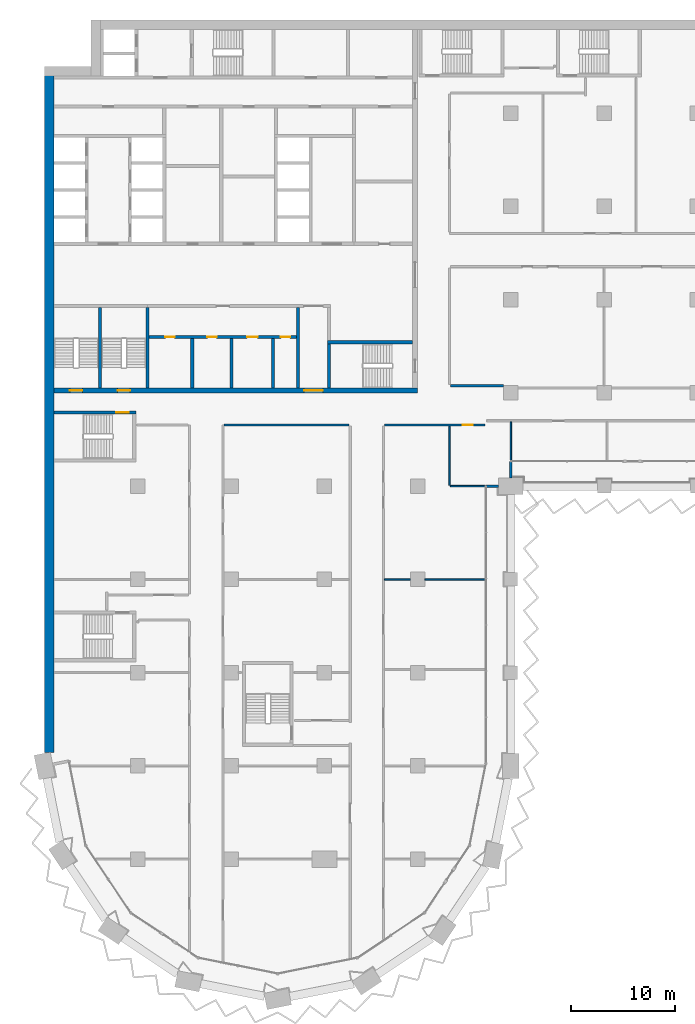
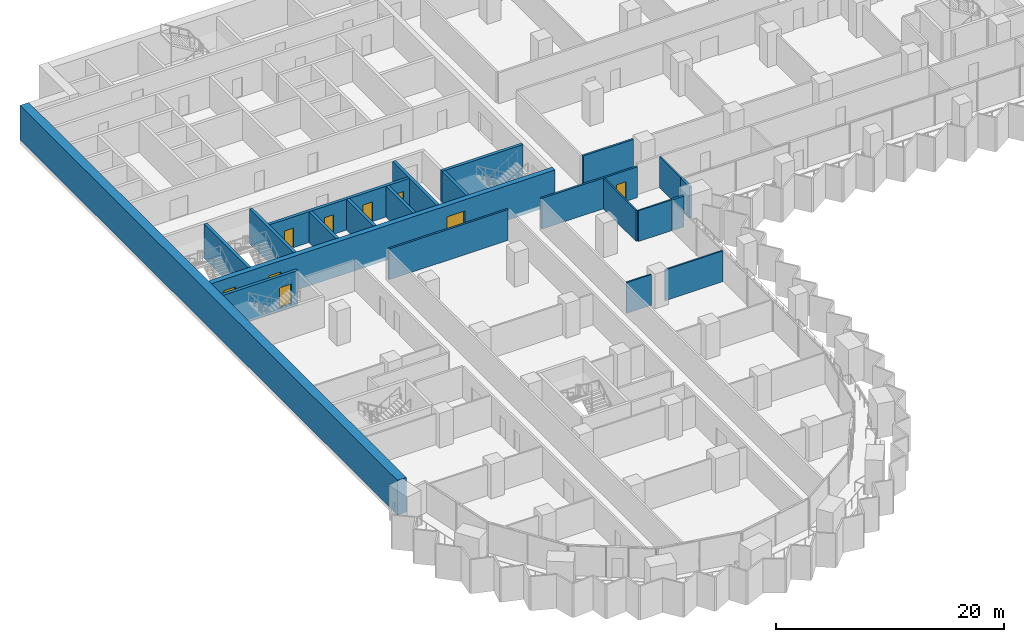
# One storey, part 13 of 29: 22 walls, 9 doors, 9 openings.
"""IFC4 building model written with IfcOpenShell, lengths in metres."""

from ifc_helpers import new_model, si_unit, direction, frame, frame_2d, origin, place, context, subcontext, project, spatial, rectangle, extrude, material, layer, layer_set, type_object, element, fill, save


model = new_model("IFC4")

# Units and contexts
model_context = context("Model", 3, precision=1e-05, world=origin(), true_north=direction((0.0, 1.0)))
body_context = subcontext(model_context, "Body", "Model", "MODEL_VIEW")
ifc_project = project(units=[si_unit("LENGTHUNIT", "METRE"), si_unit("AREAUNIT", "SQUARE_METRE"), si_unit("VOLUMEUNIT", "CUBIC_METRE"), si_unit("PLANEANGLEUNIT", "RADIAN"), si_unit("MASSUNIT", "GRAM", prefix="KILO")], contexts=[model_context])

# Site, building, storey
site_placement = place(None, origin())
site = spatial("IfcSite", under=ifc_project, at=site_placement, CompositionType="ELEMENT")
building_placement = place(site_placement, origin())
building = spatial("IfcBuilding", under=site, at=building_placement, Name="Hunhe Ridgeline Campus", CompositionType="ELEMENT")
storey_placement = place(building_placement, frame((0.0, 0.0, 65.39990234375)))
storey = spatial("IfcBuildingStorey", under=building, at=storey_placement, Name="L15", CompositionType="ELEMENT", Elevation=65.39990234375)

# Wall, openings, doors
ifc_material_1 = material(Name="Masonry concrete blockwork", Category="masonry")
ifc_layer_1 = layer(ifc_material_1, 0.300048828125)
ifc_layer_set_1 = layer_set([ifc_layer_1], Name="Core room partition 300 concrete block")
wall_type_1 = type_object("IfcWallType", Name="Core room partition 300 concrete block", PredefinedType="PARTITIONING", material=ifc_layer_set_1)
wall_1_placement = place(storey_placement, frame((10.10009765625, 68.39990234375, 0.0), z_axis=(0.0, 0.0, 1.0), x_axis=(1.0, 0.0, 0.0)))
wall_1 = element("IfcWall", 1, at=wall_1_placement, inside=storey, type_object=wall_type_1, Name="L15 core partition 10", PredefinedType="PARTITIONING", context=body_context, shape_type="SweptSolid", body=[
    extrude(rectangle(XDim=14.199951171875, YDim=0.300048828125, at=frame_2d((7.10009765625, 0.0))), origin(), (0.0, 0.0, 1.0), 3.300048828125),
])
opening_1_placement = place(wall_1_placement, frame((1.550048828125, 0.0, 0.0)))
opening_1 = element("IfcOpeningElement", 2, at=opening_1_placement, cuts=wall_1, Name="Opening CD8", PredefinedType="OPENING", context=body_context, shape_type="SweptSolid", body=[
    extrude(rectangle(XDim=0.89990234375, YDim=2.10009765625, at=frame_2d((0.449951171875, 1.050048828125))), frame((0.0, 0.14990234375, 0.0), z_axis=(0.0, -1.0, 0.0), x_axis=(1.0, 0.0, 0.0)), (0.0, 0.0, 1.0), 0.300048828125),
])
opening_2_placement = place(wall_1_placement, frame((5.60009765625, 0.0, 0.0)))
opening_2 = element("IfcOpeningElement", 3, at=opening_2_placement, cuts=wall_1, Name="Opening CD9", PredefinedType="OPENING", context=body_context, shape_type="SweptSolid", body=[
    extrude(rectangle(XDim=0.89990234375, YDim=2.10009765625, at=frame_2d((0.449951171875, 1.050048828125))), frame((0.0, 0.14990234375, 0.0), z_axis=(0.0, -1.0, 0.0), x_axis=(1.0, 0.0, 0.0)), (0.0, 0.0, 1.0), 0.300048828125),
])
opening_3_placement = place(wall_1_placement, frame((9.449951171875, 0.0, 0.0)))
opening_3 = element("IfcOpeningElement", 4, at=opening_3_placement, cuts=wall_1, Name="Opening CD10", PredefinedType="OPENING", context=body_context, shape_type="SweptSolid", body=[
    extrude(rectangle(XDim=1.0, YDim=2.10009765625, at=frame_2d((0.5, 1.050048828125))), frame((0.0, 0.14990234375, 0.0), z_axis=(0.0, -1.0, 0.0), x_axis=(1.0, 0.0, 0.0)), (0.0, 0.0, 1.0), 0.300048828125),
])
opening_4_placement = place(wall_1_placement, frame((12.699951171875, 0.0, 0.0)))
opening_4 = element("IfcOpeningElement", 5, at=opening_4_placement, cuts=wall_1, Name="Opening CD11", PredefinedType="OPENING", context=body_context, shape_type="SweptSolid", body=[
    extrude(rectangle(XDim=0.89990234375, YDim=2.10009765625, at=frame_2d((0.449951171875, 1.050048828125))), frame((0.0, 0.14990234375, 0.0), z_axis=(0.0, -1.0, 0.0), x_axis=(1.0, 0.0, 0.0)), (0.0, 0.0, 1.0), 0.300048828125),
])
ifc_material_2 = material(Name="Solid core timber door leaf", Category="wood")
door_type_1 = type_object("IfcDoorType", Name="Timber door 1000x2100", OperationType="SINGLE_SWING_LEFT", PredefinedType="DOOR", material=ifc_material_2)
door_1_placement = place(opening_3_placement, frame((1.0, 0.0, 0.0), z_axis=(0.0, 0.0, 1.0), x_axis=(-1.0, 0.0, 0.0)))
door_1 = element("IfcDoor", 6, at=door_1_placement, inside=storey, type_object=door_type_1, Name="L15 door WC3", OperationType="SINGLE_SWING_RIGHT", OverallHeight=2.10009765625, OverallWidth=1.0, PredefinedType="DOOR", context=body_context, shape_type="SweptSolid", body=[
    extrude(rectangle(XDim=1.0, YDim=2.10009765625, at=frame_2d((0.5, 1.050048828125))), frame((0.0, 0.02490234375, 0.0), z_axis=(0.0, -1.0, 0.0), x_axis=(1.0, 0.0, 0.0)), (0.0, 0.0, 1.0), 0.050048828125),
])
fill(opening_3, door_1)
door_type_2 = type_object("IfcDoorType", Name="Timber door 900x2100", OperationType="SINGLE_SWING_LEFT", PredefinedType="DOOR", material=ifc_material_2)
door_2_placement = place(opening_1_placement, frame((0.89990234375, 0.0, 0.0), z_axis=(0.0, 0.0, 1.0), x_axis=(-1.0, 0.0, 0.0)))
door_2 = element("IfcDoor", 7, at=door_2_placement, inside=storey, type_object=door_type_2, Name="L15 door WC1", OperationType="SINGLE_SWING_RIGHT", OverallHeight=2.10009765625, OverallWidth=0.89990234375, PredefinedType="DOOR", context=body_context, shape_type="SweptSolid", body=[
    extrude(rectangle(XDim=0.89990234375, YDim=2.10009765625, at=frame_2d((0.449951171875, 1.050048828125))), frame((0.0, 0.02490234375, 0.0), z_axis=(0.0, -1.0, 0.0), x_axis=(1.0, 0.0, 0.0)), (0.0, 0.0, 1.0), 0.050048828125),
])
fill(opening_1, door_2)
door_3_placement = place(opening_2_placement, frame((0.89990234375, 0.0, 0.0), z_axis=(0.0, 0.0, 1.0), x_axis=(-1.0, 0.0, 0.0)))
door_3 = element("IfcDoor", 8, at=door_3_placement, inside=storey, type_object=door_type_2, Name="L15 door WC2", OperationType="SINGLE_SWING_LEFT", OverallHeight=2.10009765625, OverallWidth=0.89990234375, PredefinedType="DOOR", context=body_context, shape_type="SweptSolid", body=[
    extrude(rectangle(XDim=0.89990234375, YDim=2.10009765625, at=frame_2d((0.449951171875, 1.050048828125))), frame((0.0, 0.02490234375, 0.0), z_axis=(0.0, -1.0, 0.0), x_axis=(1.0, 0.0, 0.0)), (0.0, 0.0, 1.0), 0.050048828125),
])
fill(opening_2, door_3)
door_4_placement = place(opening_4_placement, frame((0.89990234375, 0.0, 0.0), z_axis=(0.0, 0.0, 1.0), x_axis=(-1.0, 0.0, 0.0)))
door_4 = element("IfcDoor", 9, at=door_4_placement, inside=storey, type_object=door_type_2, Name="L15 door WC4", OperationType="SINGLE_SWING_LEFT", OverallHeight=2.10009765625, OverallWidth=0.89990234375, PredefinedType="DOOR", context=body_context, shape_type="SweptSolid", body=[
    extrude(rectangle(XDim=0.89990234375, YDim=2.10009765625, at=frame_2d((0.449951171875, 1.050048828125))), frame((0.0, 0.02490234375, 0.0), z_axis=(0.0, -1.0, 0.0), x_axis=(1.0, 0.0, 0.0)), (0.0, 0.0, 1.0), 0.050048828125),
])
fill(opening_4, door_4)

# Walls
for number, where, z_axis, x_axis, name in (
    (10, (14.25, 63.5, 0.0), (0.0, 0.0, 1.0), (0.0, 1.0, 0.0), "L15 core partition 48"),
    (11, (18.050048828125, 63.5, 0.0), (0.0, 0.0, 1.0), (0.0, 1.0, 0.0), "L15 core partition 50"),
    (12, (22.050048828125, 63.5, 0.0), (0.0, 0.0, 1.0), (0.0, 1.0, 0.0), "L15 core partition 52"),
):
    element("IfcWall", number, at=place(storey_placement, frame(where, z_axis=z_axis, x_axis=x_axis)), inside=storey, type_object=wall_type_1, Name=name, PredefinedType="PARTITIONING", context=body_context, shape_type="SweptSolid", body=[
        extrude(rectangle(XDim=4.75, YDim=0.300048828125, at=frame_2d((2.375, 0.0))), origin(), (0.0, 0.0, 1.0), 3.300048828125),
    ])
wall_2_placement = place(storey_placement, frame((24.449951171875, 63.5, 0.0), z_axis=(0.0, 0.0, 1.0), x_axis=(0.0, 1.0, 0.0)))
element("IfcWall", 13, at=wall_2_placement, inside=storey, type_object=wall_type_1, Name="L15 core partition 57", PredefinedType="PARTITIONING", context=body_context, shape_type="SweptSolid", body=[
    extrude(rectangle(XDim=7.75, YDim=0.300048828125, at=frame_2d((3.875, 0.0))), origin(), (0.0, 0.0, 1.0), 3.300048828125),
])

# Wall, openings, doors
ifc_material_3 = material(Name="Concrete C80", Category="concrete")
ifc_layer_2 = layer(ifc_material_3, 0.5)
ifc_layer_set_2 = layer_set([ifc_layer_2], Name="Core wall 500 reinforced concrete C80")
wall_type_2 = type_object("IfcWallType", Name="Core wall 500 reinforced concrete C80", PredefinedType="SOLIDWALL", material=ifc_layer_set_2)
wall_3_placement = place(storey_placement, frame((0.89990234375, 63.25, -0.39990234375), z_axis=(0.0, 0.0, 1.0), x_axis=(1.0, 0.0, 0.0)))
wall_3 = element("IfcWall", 14, at=wall_3_placement, inside=storey, type_object=wall_type_2, Name="L15 core wall 7", PredefinedType="SOLIDWALL", context=body_context, shape_type="SweptSolid", body=[
    extrude(rectangle(XDim=35.10009765625, YDim=0.5, at=frame_2d((17.550048828125, 0.0))), origin(), (0.0, 0.0, 1.0), 3.699951171875),
])
opening_5_placement = place(wall_3_placement, frame((24.14990234375, 0.0, 0.39990234375)))
opening_5 = element("IfcOpeningElement", 15, at=opening_5_placement, cuts=wall_3, Name="Opening CD6", PredefinedType="OPENING", context=body_context, shape_type="SweptSolid", body=[
    extrude(rectangle(XDim=1.800048828125, YDim=2.10009765625, at=frame_2d((0.89990234375, 1.050048828125))), frame((0.0, 0.25, 0.0), z_axis=(0.0, -1.0, 0.0), x_axis=(1.0, 0.0, 0.0)), (0.0, 0.0, 1.0), 0.5),
])
opening_6_placement = place(wall_3_placement, frame((1.550048828125, 0.0, 0.39990234375)))
opening_6 = element("IfcOpeningElement", 16, at=opening_6_placement, cuts=wall_3, Name="Opening CD13", PredefinedType="OPENING", context=body_context, shape_type="SweptSolid", body=[
    extrude(rectangle(XDim=1.199951171875, YDim=2.10009765625, at=frame_2d((0.60009765625, 1.050048828125))), frame((0.0, 0.25, 0.0), z_axis=(0.0, -1.0, 0.0), x_axis=(1.0, 0.0, 0.0)), (0.0, 0.0, 1.0), 0.5),
])
opening_7_placement = place(wall_3_placement, frame((6.14990234375, 0.0, 0.39990234375)))
opening_7 = element("IfcOpeningElement", 17, at=opening_7_placement, cuts=wall_3, Name="Opening CD14", PredefinedType="OPENING", context=body_context, shape_type="SweptSolid", body=[
    extrude(rectangle(XDim=1.199951171875, YDim=2.10009765625, at=frame_2d((0.60009765625, 1.050048828125))), frame((0.0, 0.25, 0.0), z_axis=(0.0, -1.0, 0.0), x_axis=(1.0, 0.0, 0.0)), (0.0, 0.0, 1.0), 0.5),
])
ifc_material_4 = material(Name="Anodised aluminium and glass", Category="aluminium")
door_type_3 = type_object("IfcDoorType", Name="Glazed double door 1800x2100", OperationType="DOUBLE_DOOR_SINGLE_SWING", PredefinedType="DOOR", material=ifc_material_4)
door_5_placement = place(opening_5_placement, frame((1.800048828125, 0.0, 0.0), z_axis=(0.0, 0.0, 1.0), x_axis=(-1.0, 0.0, 0.0)))
door_5 = element("IfcDoor", 18, at=door_5_placement, inside=storey, type_object=door_type_3, Name="L15 door VEST-FLOOR", OperationType="DOUBLE_DOOR_SINGLE_SWING", OverallHeight=2.10009765625, OverallWidth=1.800048828125, PredefinedType="DOOR", context=body_context, shape_type="SweptSolid", body=[
    extrude(rectangle(XDim=1.800048828125, YDim=2.10009765625, at=frame_2d((0.89990234375, 1.050048828125))), frame((0.0, 0.02490234375, 0.0), z_axis=(0.0, -1.0, 0.0), x_axis=(1.0, 0.0, 0.0)), (0.0, 0.0, 1.0), 0.050048828125),
])
fill(opening_5, door_5)
ifc_material_5 = material(Name="Hollow metal fire door leaf")
door_type_4 = type_object("IfcDoorType", Name="Stair door 1200x2100 FD60", OperationType="SINGLE_SWING_LEFT", PredefinedType="DOOR", material=ifc_material_5)
door_6_placement = place(opening_6_placement, frame((1.199951171875, 0.0, 0.0), z_axis=(0.0, 0.0, 1.0), x_axis=(-1.0, 0.0, 0.0)))
door_6 = element("IfcDoor", 19, at=door_6_placement, inside=storey, type_object=door_type_4, Name="L15 door S3", OperationType="SINGLE_SWING_RIGHT", OverallHeight=2.10009765625, OverallWidth=1.199951171875, PredefinedType="DOOR", context=body_context, shape_type="SweptSolid", body=[
    extrude(rectangle(XDim=1.199951171875, YDim=2.10009765625, at=frame_2d((0.60009765625, 1.050048828125))), frame((0.0, 0.02490234375, 0.0), z_axis=(0.0, -1.0, 0.0), x_axis=(1.0, 0.0, 0.0)), (0.0, 0.0, 1.0), 0.050048828125),
])
fill(opening_6, door_6)
door_7_placement = place(opening_7_placement, frame((1.199951171875, 0.0, 0.0), z_axis=(0.0, 0.0, 1.0), x_axis=(-1.0, 0.0, 0.0)))
door_7 = element("IfcDoor", 20, at=door_7_placement, inside=storey, type_object=door_type_4, Name="L15 door S4", OperationType="SINGLE_SWING_LEFT", OverallHeight=2.10009765625, OverallWidth=1.199951171875, PredefinedType="DOOR", context=body_context, shape_type="SweptSolid", body=[
    extrude(rectangle(XDim=1.199951171875, YDim=2.10009765625, at=frame_2d((0.60009765625, 1.050048828125))), frame((0.0, 0.02490234375, 0.0), z_axis=(0.0, -1.0, 0.0), x_axis=(1.0, 0.0, 0.0)), (0.0, 0.0, 1.0), 0.050048828125),
])
fill(opening_7, door_7)

# Walls
ifc_material_6 = material(Name="Concrete C30", Category="concrete")
ifc_layer_3 = layer(ifc_material_6, 0.25)
ifc_layer_set_3 = layer_set([ifc_layer_3], Name="Corner return wall 250 Concrete C30")
wall_type_3 = type_object("IfcWallType", Name="Corner return wall 250 Concrete C30", PredefinedType="SOLIDWALL", material=ifc_layer_set_3)
wall_4_placement = place(storey_placement, frame((42.59912109375, 54.0, 0.0), z_axis=(0.0, 0.0, 1.0), x_axis=(0.999999917344, 0.000406586671, 0.0)))
element("IfcWall", 21, at=wall_4_placement, inside=storey, type_object=wall_type_3, Name="Corner return wall 2", PredefinedType="SOLIDWALL", context=body_context, shape_type="SweptSolid", body=[
    extrude(rectangle(XDim=1.200927734375, YDim=0.25, at=frame_2d((0.6005859375, 0.0))), origin(), (0.0, 0.0, 1.0), 3.300048828125),
])
wall_5_placement = place(storey_placement, frame((44.999267578125, 54.800048828125, 0.0), z_axis=(0.0, 0.0, 1.0), x_axis=(0.000152508767, 0.999999988371, 0.0)))
element("IfcWall", 22, at=wall_5_placement, inside=storey, type_object=wall_type_3, Name="Corner return wall 3", PredefinedType="SOLIDWALL", context=body_context, shape_type="SweptSolid", body=[
    extrude(rectangle(XDim=1.600830078125, YDim=0.25, at=frame_2d((0.80029296875, 0.0))), origin(), (0.0, 0.0, 1.0), 3.300048828125),
])
ifc_material_7 = material(Name="Gypsum board partition")
ifc_layer_4 = layer(ifc_material_7, 0.199951171875)
ifc_layer_set_4 = layer_set([ifc_layer_4], Name="Corridor partition 200 gypsum board on steel studs")
wall_type_4 = type_object("IfcWallType", Name="Corridor partition 200 gypsum board on steel studs", PredefinedType="PARTITIONING", material=ifc_layer_set_4)
wall_6_placement = place(storey_placement, frame((29.39990234375, 59.89990234375, 0.0), z_axis=(0.0, 0.0, 1.0), x_axis=(-1.0, 0.0, 0.0)))
element("IfcWall", 23, at=wall_6_placement, inside=storey, type_object=wall_type_4, Name="F-L15-wall-032", PredefinedType="PARTITIONING", context=body_context, shape_type="SweptSolid", body=[
    extrude(rectangle(XDim=12.072021484375, YDim=0.199951171875, at=frame_2d((6.0361328125, 0.0))), origin(), (0.0, 0.0, 1.0), 3.300048828125),
])

# Wall, opening, door
wall_7_placement = place(storey_placement, frame((42.5, 59.89990234375, 0.0), z_axis=(0.0, 0.0, 1.0), x_axis=(-1.0, 0.0, 0.0)))
wall_7 = element("IfcWall", 24, at=wall_7_placement, inside=storey, type_object=wall_type_4, Name="F-L15-wall-033", PredefinedType="PARTITIONING", context=body_context, shape_type="SweptSolid", body=[
    extrude(rectangle(XDim=9.699951171875, YDim=0.199951171875, at=frame_2d((4.85009765625, 0.0))), origin(), (0.0, 0.0, 1.0), 3.300048828125),
])
opening_8_placement = place(wall_7_placement, frame((1.1591796875, 0.0, 0.0)))
opening_8 = element("IfcOpeningElement", 25, at=opening_8_placement, cuts=wall_7, Name="Opening RD1-022", PredefinedType="OPENING", context=body_context, shape_type="SweptSolid", body=[
    extrude(rectangle(XDim=1.0, YDim=2.10009765625, at=frame_2d((0.5, 1.050048828125))), frame((0.0, 0.10009765625, 0.0), z_axis=(0.0, -1.0, 0.0), x_axis=(1.0, 0.0, 0.0)), (0.0, 0.0, 1.0), 0.199951171875),
])
ifc_material_8 = material(Name="Timber door leaf", Category="wood")
door_type_5 = type_object("IfcDoorType", Name="Single fire door 1000x2100 timber FD60", OperationType="NOTDEFINED", PredefinedType="DOOR", material=ifc_material_8)
door_8_placement = place(opening_8_placement, origin())
door_8 = element("IfcDoor", 26, at=door_8_placement, inside=storey, type_object=door_type_5, Name="F-L15-door-022", OperationType="SINGLE_SWING_LEFT", OverallHeight=2.10009765625, OverallWidth=1.0, PredefinedType="DOOR", context=body_context, shape_type="SweptSolid", body=[
    extrude(rectangle(XDim=1.0, YDim=2.10009765625, at=frame_2d((0.5, 1.050048828125))), frame((0.0, 0.02490234375, 0.0), z_axis=(0.0, -1.0, 0.0), x_axis=(1.0, 0.0, 0.0)), (0.0, 0.0, 1.0), 0.050048828125),
])
fill(opening_8, door_8)

# Walls
wall_8_placement = place(storey_placement, frame((39.199951171875, 63.699951171875, 0.0), z_axis=(0.0, 0.0, 1.0), x_axis=(1.0, 0.0, 0.0)))
element("IfcWall", 27, at=wall_8_placement, inside=storey, type_object=wall_type_4, Name="F-L15-wall-035", PredefinedType="PARTITIONING", context=body_context, shape_type="SweptSolid", body=[
    extrude(rectangle(XDim=5.10009765625, YDim=0.199951171875, at=frame_2d((2.550048828125, 0.0))), origin(), (0.0, 0.0, 1.0), 3.300048828125),
])
ifc_layer_5 = layer(ifc_material_7, 0.14990234375)
ifc_layer_set_5 = layer_set([ifc_layer_5], Name="Room partition 150 gypsum board on steel studs")
wall_type_5 = type_object("IfcWallType", Name="Room partition 150 gypsum board on steel studs", PredefinedType="PARTITIONING", material=ifc_layer_set_5)
wall_9_placement = place(storey_placement, frame((32.800048828125, 45.0, 0.0), z_axis=(0.0, 0.0, 1.0), x_axis=(1.0, 0.0, 0.0)))
element("IfcWall", 28, at=wall_9_placement, inside=storey, type_object=wall_type_5, Name="F-L15-wall-028", PredefinedType="PARTITIONING", context=body_context, shape_type="SweptSolid", body=[
    extrude(rectangle(XDim=2.5, YDim=0.14990234375, at=frame_2d((1.25, 0.0))), origin(), (0.0, 0.0, 1.0), 3.300048828125),
])
wall_10_placement = place(storey_placement, frame((36.699951171875, 45.0, 0.0), z_axis=(0.0, 0.0, 1.0), x_axis=(1.0, 0.0, 0.0)))
element("IfcWall", 29, at=wall_10_placement, inside=storey, type_object=wall_type_5, Name="F-L15-wall-029", PredefinedType="PARTITIONING", context=body_context, shape_type="SweptSolid", body=[
    extrude(rectangle(XDim=5.844970703125, YDim=0.14990234375, at=frame_2d((2.92236328125, 0.0))), origin(), (0.0, 0.0, 1.0), 3.300048828125),
])
wall_11_placement = place(storey_placement, frame((39.175048828125, 54.0, 0.0), z_axis=(0.0, 0.0, 1.0), x_axis=(1.0, 0.0, 0.0)))
element("IfcWall", 30, at=wall_11_placement, inside=storey, type_object=wall_type_5, Name="F-L15-wall-030", PredefinedType="PARTITIONING", context=body_context, shape_type="SweptSolid", body=[
    extrude(rectangle(XDim=3.369873046875, YDim=0.14990234375, at=frame_2d((1.68505859375, 0.0))), origin(), (0.0, 0.0, 1.0), 3.300048828125),
])
wall_12_placement = place(storey_placement, frame((39.10009765625, 59.800048828125, 0.0), z_axis=(0.0, 0.0, 1.0), x_axis=(0.0, -1.0, 0.0)))
element("IfcWall", 31, at=wall_12_placement, inside=storey, type_object=wall_type_5, Name="F-L15-wall-058", PredefinedType="PARTITIONING", context=body_context, shape_type="SweptSolid", body=[
    extrude(rectangle(XDim=5.72509765625, YDim=0.14990234375, at=frame_2d((2.862548828125, 0.0))), origin(), (0.0, 0.0, 1.0), 3.300048828125),
])
wall_13_placement = place(storey_placement, frame((45.0, 60.199951171875, 0.0), z_axis=(0.0, 0.0, 1.0), x_axis=(0.0, -1.0, 0.0)))
element("IfcWall", 32, at=wall_13_placement, inside=storey, type_object=wall_type_5, Name="F-L15-wall-061", PredefinedType="PARTITIONING", context=body_context, shape_type="SweptSolid", body=[
    extrude(rectangle(XDim=3.7451171875, YDim=0.14990234375, at=frame_2d((1.87255859375, 0.0))), origin(), (0.0, 0.0, 1.0), 3.300048828125),
])
ifc_layer_6 = layer(ifc_material_3, 0.89990234375)
ifc_layer_set_6 = layer_set([ifc_layer_6], Name="Spine wall 900 Concrete C80")
wall_type_6 = type_object("IfcWallType", Name="Spine wall 900 Concrete C80", PredefinedType="SHEAR", material=ifc_layer_set_6)
wall_14_placement = place(storey_placement, frame((0.449951171875, 94.5, 0.0), z_axis=(0.0, 0.0, 1.0), x_axis=(0.0, -1.0, 0.0)))
element("IfcWall", 33, at=wall_14_placement, inside=storey, type_object=wall_type_6, Name="Spine wall SW1-1 L15", PredefinedType="SHEAR", context=body_context, shape_type="SweptSolid", body=[
    extrude(rectangle(XDim=66.18701171875, YDim=0.89990234375, at=frame_2d((33.093505859375, 0.0))), origin(), (0.0, 0.0, 1.0), 3.7001953125),
])

# Wall, opening, door
ifc_layer_7 = layer(ifc_material_3, 0.300048828125)
ifc_layer_set_7 = layer_set([ifc_layer_7], Name="Stair wall 300 reinforced concrete C80")
wall_type_7 = type_object("IfcWallType", Name="Stair wall 300 reinforced concrete C80", PredefinedType="SOLIDWALL", material=ifc_layer_set_7)
wall_15_placement = place(storey_placement, frame((0.89990234375, 61.10009765625, -0.39990234375), z_axis=(0.0, 0.0, 1.0), x_axis=(1.0, 0.0, 0.0)))
wall_15 = element("IfcWall", 34, at=wall_15_placement, inside=storey, type_object=wall_type_7, Name="L15 core wall 6", PredefinedType="SOLIDWALL", context=body_context, shape_type="SweptSolid", body=[
    extrude(rectangle(XDim=7.900146484375, YDim=0.300048828125, at=frame_2d((3.9501953125, 0.0))), origin(), (0.0, 0.0, 1.0), 3.699951171875),
])
opening_9_placement = place(wall_15_placement, frame((6.0, 0.0, 0.39990234375)))
opening_9 = element("IfcOpeningElement", 35, at=opening_9_placement, cuts=wall_15, Name="Opening CD22", PredefinedType="OPENING", context=body_context, shape_type="SweptSolid", body=[
    extrude(rectangle(XDim=1.199951171875, YDim=2.10009765625, at=frame_2d((0.60009765625, 1.050048828125))), frame((0.0, 0.14990234375, 0.0), z_axis=(0.0, -1.0, 0.0), x_axis=(1.0, 0.0, 0.0)), (0.0, 0.0, 1.0), 0.300048828125),
])
door_9_placement = place(opening_9_placement, origin())
door_9 = element("IfcDoor", 36, at=door_9_placement, inside=storey, type_object=door_type_4, Name="L15 door W2", OperationType="SINGLE_SWING_RIGHT", OverallHeight=2.10009765625, OverallWidth=1.199951171875, PredefinedType="DOOR", context=body_context, shape_type="SweptSolid", body=[
    extrude(rectangle(XDim=1.199951171875, YDim=2.10009765625, at=frame_2d((0.60009765625, 1.050048828125))), frame((0.0, 0.02490234375, 0.0), z_axis=(0.0, -1.0, 0.0), x_axis=(1.0, 0.0, 0.0)), (0.0, 0.0, 1.0), 0.050048828125),
])
fill(opening_9, door_9)

# Walls
wall_16_placement = place(storey_placement, frame((27.300048828125, 67.89990234375, -0.39990234375), z_axis=(0.0, 0.0, 1.0), x_axis=(1.0, 0.0, 0.0)))
element("IfcWall", 37, at=wall_16_placement, inside=storey, type_object=wall_type_7, Name="L15 core wall 9", PredefinedType="SOLIDWALL", context=body_context, shape_type="SweptSolid", body=[
    extrude(rectangle(XDim=8.199951171875, YDim=0.300048828125, at=frame_2d((4.10009765625, 0.0))), origin(), (0.0, 0.0, 1.0), 3.699951171875),
])
for number, where, z_axis, x_axis, name in (
    (38, (5.35009765625, 63.5, -0.39990234375), (0.0, 0.0, 1.0), (0.0, 1.0, 0.0), "L15 core wall 38"),
    (39, (9.949951171875, 63.5, -0.39990234375), (0.0, 0.0, 1.0), (0.0, 1.0, 0.0), "L15 core wall 44"),
):
    element("IfcWall", number, at=place(storey_placement, frame(where, z_axis=z_axis, x_axis=x_axis)), inside=storey, type_object=wall_type_7, Name=name, PredefinedType="SOLIDWALL", context=body_context, shape_type="SweptSolid", body=[
        extrude(rectangle(XDim=7.75, YDim=0.300048828125, at=frame_2d((3.875, 0.0))), origin(), (0.0, 0.0, 1.0), 3.699951171875),
    ])
wall_17_placement = place(storey_placement, frame((27.449951171875, 63.5, -0.39990234375), z_axis=(0.0, 0.0, 1.0), x_axis=(0.0, 1.0, 0.0)))
element("IfcWall", 40, at=wall_17_placement, inside=storey, type_object=wall_type_7, Name="L15 core wall 59", PredefinedType="SOLIDWALL", context=body_context, shape_type="SweptSolid", body=[
    extrude(rectangle(XDim=4.25, YDim=0.300048828125, at=frame_2d((2.125, 0.0))), origin(), (0.0, 0.0, 1.0), 3.699951171875),
])

save(model, "model.ifc")
